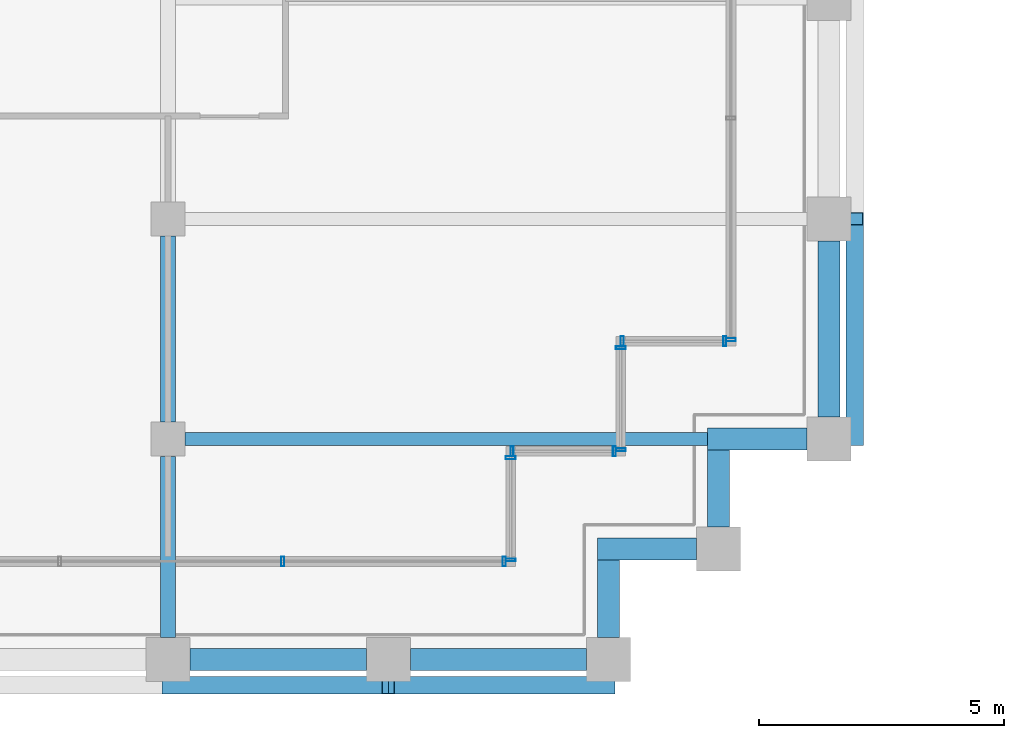
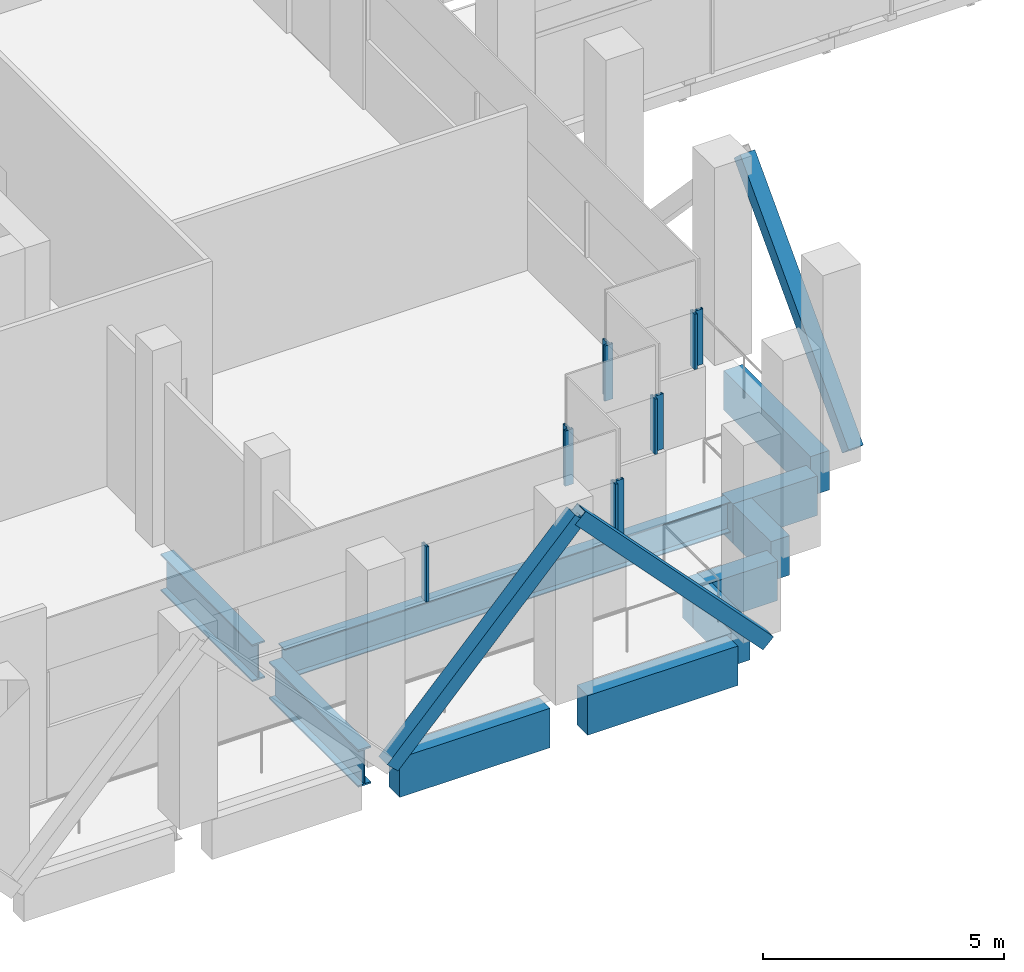
# One storey, part 8 of 34: 14 members, 10 beams, 6 elements without a shape of their own.
"""IFC4 building model written with IfcOpenShell, lengths in metres."""

from ifc_helpers import new_model, si_unit, direction, frame, origin, origin_2d, place, context, subcontext, project, spatial, rectangle, hollow_rectangle, i_section, extrude, material, material_profile, profile_set, type_object, element, aggregate, save


model = new_model("IFC4")

# Units and contexts
model_context = context("Model", 3, precision=1e-05, world=origin(), true_north=direction((0.0, 1.0)))
body_context = subcontext(model_context, "Body", "Model", "MODEL_VIEW")
ifc_project = project(units=[si_unit("LENGTHUNIT", "METRE"), si_unit("AREAUNIT", "SQUARE_METRE"), si_unit("VOLUMEUNIT", "CUBIC_METRE"), si_unit("PLANEANGLEUNIT", "RADIAN"), si_unit("MASSUNIT", "GRAM", prefix="KILO")], contexts=[model_context])

# Site, building, storey
site_placement = place(None, origin())
site = spatial("IfcSite", under=ifc_project, at=site_placement, CompositionType="ELEMENT")
building_placement = place(site_placement, origin())
building = spatial("IfcBuilding", under=site, at=building_placement, Name="Altepetl Exchange Towers", CompositionType="ELEMENT")
storey_placement = place(building_placement, frame((0.0, 0.0, 190.60009765625)))
storey = spatial("IfcBuildingStorey", under=building, at=storey_placement, Name="L48 Refuge", CompositionType="ELEMENT", Elevation=190.60009765625)

# Members
ifc_material_1 = material(Name="Steel S355", Category="steel")
ifc_material_profile_1 = material_profile(ifc_material_1, hollow_rectangle(XDim=0.35595703125, YDim=0.35595703125, WallThickness=0.014892578125, at=origin_2d()), Name="HSS356X356X15.9")
ifc_profile_set_1 = profile_set([ifc_material_profile_1], Name="Steel S355")
member_type_1 = type_object("IfcMemberType", Name="Belt diagonal HSS356X356X15.9", PredefinedType="BRACE", material=ifc_profile_set_1)
for number, where, z_axis, x_axis, name in (
    (1, (58.5, 26.469970703125, 0.0), (0.687744647911, 0.0, 0.725952683906), (0.0, 1.0, 0.0), "brc:A:L48:006"),
    (2, (63.0, 26.469970703125, 4.75), (0.687744647911, 0.0, -0.725952683906), (0.0, 1.0, 0.0), "brc:A:L48:007"),
    (3, (72.530029296875, 31.5, 0.0), (0.0, 0.687744647911, 0.725952683906), (-1.0, 0.0, 0.0), "brc:A:L48:008"),
):
    element("IfcMember", number, at=place(storey_placement, frame(where, z_axis=z_axis, x_axis=x_axis)), inside=storey, type_object=member_type_1, Name=name, PredefinedType="BRACE", context=body_context, shape_type="SweptSolid", body=[
        extrude(hollow_rectangle(XDim=0.35595703125, YDim=0.35595703125, WallThickness=0.014892578125, at=origin_2d()), origin(), (0.0, 0.0, 1.0), 6.543212890625),
    ])

# Beams
ifc_material_profile_2 = material_profile(ifc_material_1, i_section(OverallWidth=0.26806640625, OverallDepth=0.77392578125, WebThickness=0.015380859375, FlangeThickness=0.025390625, at=origin_2d()), Name="W30X132")
ifc_profile_set_2 = profile_set([ifc_material_profile_2], Name="Steel S355")
beam_type_1 = type_object("IfcBeamType", Name="Floor beam W30X132", PredefinedType="BEAM", material=ifc_profile_set_2)
beam_1_placement = place(storey_placement, frame((58.85009765625, 31.5, -0.587158203125), z_axis=(1.0, 0.0, 0.0), x_axis=(0.0, 1.0, 0.0)))
element("IfcBeam", 4, at=beam_1_placement, inside=storey, type_object=beam_type_1, Name="bm:A:L48:006", PredefinedType="BEAM", context=body_context, shape_type="SweptSolid", body=[
    extrude(i_section(OverallWidth=0.26806640625, OverallDepth=0.77392578125, WebThickness=0.015380859375, FlangeThickness=0.025390625, at=origin_2d()), origin(), (0.0, 0.0, 1.0), 10.6748046875),
])
ifc_material_profile_3 = material_profile(ifc_material_1, i_section(OverallWidth=0.30810546875, OverallDepth=0.943115234375, WebThickness=0.022216796875, FlangeThickness=0.039794921875, at=origin_2d()), Name="W36X232")
ifc_profile_set_3 = profile_set([ifc_material_profile_3], Name="Steel S355")
beam_type_2 = type_object("IfcBeamType", Name="Girder W36X232", PredefinedType="BEAM", material=ifc_profile_set_3)
beam_2_placement = place(storey_placement, frame((58.5, 35.64990234375, -0.671630859375), z_axis=(0.0, -1.0, 0.0), x_axis=(1.0, 0.0, 0.0)))
element("IfcBeam", 5, at=beam_2_placement, inside=storey, type_object=beam_type_2, Name="gd:A:L48:004", PredefinedType="BEAM", context=body_context, shape_type="SweptSolid", body=[
    extrude(i_section(OverallWidth=0.30810546875, OverallDepth=0.943115234375, WebThickness=0.022216796875, FlangeThickness=0.039794921875, at=origin_2d()), origin(), (0.0, 0.0, 1.0), 3.7998046875),
])
beam_3_placement = place(storey_placement, frame((58.5, 31.14990234375, -0.671630859375), z_axis=(0.0, -1.0, 0.0), x_axis=(1.0, 0.0, 0.0)))
element("IfcBeam", 6, at=beam_3_placement, inside=storey, type_object=beam_type_2, Name="gd:A:L48:005", PredefinedType="BEAM", context=body_context, shape_type="SweptSolid", body=[
    extrude(i_section(OverallWidth=0.30810546875, OverallDepth=0.943115234375, WebThickness=0.022216796875, FlangeThickness=0.039794921875, at=origin_2d()), origin(), (0.0, 0.0, 1.0), 3.699951171875),
])

# Curtain wall, members
ifc_material_2 = material(Name="Aluminium 6063-T6 glazing", Category="aluminium")
curtain_wall_type = type_object("IfcCurtainWallType", Name="Refuge slit glazing system", PredefinedType="NOTDEFINED", material=ifc_material_2)
curtain_wall_1_placement = place(storey_placement, origin())
curtain_wall_1 = element("IfcCurtainWall", 7, at=curtain_wall_1_placement, inside=storey, type_object=curtain_wall_type, Name="CW3 run", PredefinedType="NOTDEFINED")
ifc_material_3 = material(Name="Aluminium 6063-T6", Category="aluminium")
ifc_material_profile_4 = material_profile(ifc_material_3, hollow_rectangle(XDim=0.06005859375, YDim=0.199951171875, WallThickness=0.0029296875, at=origin_2d()), Name="Mullion 60x200 aluminium")
ifc_profile_set_4 = profile_set([ifc_material_profile_4], Name="Aluminium 6063-T6")
member_type_2 = type_object("IfcMemberType", Name="Mullion 60x200 aluminium", PredefinedType="MULLION", material=ifc_profile_set_4)
member_1_placement = place(storey_placement, frame((60.8427734375, 29.0, 1.7998046875)))
member_1 = element("IfcMember", 8, at=member_1_placement, type_object=member_type_2, Name="MU2 mullion", PredefinedType="MULLION", context=body_context, shape_type="SweptSolid", body=[
    extrude(hollow_rectangle(XDim=0.06005859375, YDim=0.199951171875, WallThickness=0.0029296875, at=origin_2d()), origin(), (0.0, 0.0, 1.0), 1.400146484375),
])
member_2_placement = place(storey_placement, frame((65.3701171875, 29.0, 1.7998046875)))
member_2 = element("IfcMember", 9, at=member_2_placement, type_object=member_type_2, Name="MU2 mullion", PredefinedType="MULLION", context=body_context, shape_type="SweptSolid", body=[
    extrude(hollow_rectangle(XDim=0.06005859375, YDim=0.199951171875, WallThickness=0.0029296875, at=origin_2d()), origin(), (0.0, 0.0, 1.0), 1.400146484375),
])
aggregate(curtain_wall_1, [member_1, member_2])

curtain_wall_2_placement = place(storey_placement, origin())
curtain_wall_2 = element("IfcCurtainWall", 10, at=curtain_wall_2_placement, inside=storey, type_object=curtain_wall_type, Name="CW3 run", PredefinedType="NOTDEFINED")
member_3_placement = place(storey_placement, frame((65.5, 29.030029296875, 1.7998046875), z_axis=(0.0, 0.0, 1.0), x_axis=(0.0, 1.0, 0.0)))
member_3 = element("IfcMember", 11, at=member_3_placement, type_object=member_type_2, Name="MU2 mullion", PredefinedType="MULLION", context=body_context, shape_type="SweptSolid", body=[
    extrude(hollow_rectangle(XDim=0.06005859375, YDim=0.199951171875, WallThickness=0.0029296875, at=origin_2d()), origin(), (0.0, 0.0, 1.0), 1.400146484375),
])
member_4_placement = place(storey_placement, frame((65.5, 31.1201171875, 1.7998046875), z_axis=(0.0, 0.0, 1.0), x_axis=(0.0, 1.0, 0.0)))
member_4 = element("IfcMember", 12, at=member_4_placement, type_object=member_type_2, Name="MU2 mullion", PredefinedType="MULLION", context=body_context, shape_type="SweptSolid", body=[
    extrude(hollow_rectangle(XDim=0.06005859375, YDim=0.199951171875, WallThickness=0.0029296875, at=origin_2d()), origin(), (0.0, 0.0, 1.0), 1.400146484375),
])
aggregate(curtain_wall_2, [member_3, member_4])

curtain_wall_3_placement = place(storey_placement, origin())
curtain_wall_3 = element("IfcCurtainWall", 13, at=curtain_wall_3_placement, inside=storey, type_object=curtain_wall_type, Name="CW3 run", PredefinedType="NOTDEFINED")
member_5_placement = place(storey_placement, frame((65.530029296875, 31.25, 1.7998046875)))
member_5 = element("IfcMember", 14, at=member_5_placement, type_object=member_type_2, Name="MU2 mullion", PredefinedType="MULLION", context=body_context, shape_type="SweptSolid", body=[
    extrude(hollow_rectangle(XDim=0.06005859375, YDim=0.199951171875, WallThickness=0.0029296875, at=origin_2d()), origin(), (0.0, 0.0, 1.0), 1.400146484375),
])
member_6_placement = place(storey_placement, frame((67.6201171875, 31.25, 1.7998046875)))
member_6 = element("IfcMember", 15, at=member_6_placement, type_object=member_type_2, Name="MU2 mullion", PredefinedType="MULLION", context=body_context, shape_type="SweptSolid", body=[
    extrude(hollow_rectangle(XDim=0.06005859375, YDim=0.199951171875, WallThickness=0.0029296875, at=origin_2d()), origin(), (0.0, 0.0, 1.0), 1.400146484375),
])
aggregate(curtain_wall_3, [member_5, member_6])

curtain_wall_4_placement = place(storey_placement, origin())
curtain_wall_4 = element("IfcCurtainWall", 16, at=curtain_wall_4_placement, inside=storey, type_object=curtain_wall_type, Name="CW3 run", PredefinedType="NOTDEFINED")
member_7_placement = place(storey_placement, frame((67.75, 31.280029296875, 1.7998046875), z_axis=(0.0, 0.0, 1.0), x_axis=(0.0, 1.0, 0.0)))
member_7 = element("IfcMember", 17, at=member_7_placement, type_object=member_type_2, Name="MU2 mullion", PredefinedType="MULLION", context=body_context, shape_type="SweptSolid", body=[
    extrude(hollow_rectangle(XDim=0.06005859375, YDim=0.199951171875, WallThickness=0.0029296875, at=origin_2d()), origin(), (0.0, 0.0, 1.0), 1.400146484375),
])
member_8_placement = place(storey_placement, frame((67.75, 33.3701171875, 1.7998046875), z_axis=(0.0, 0.0, 1.0), x_axis=(0.0, 1.0, 0.0)))
member_8 = element("IfcMember", 18, at=member_8_placement, type_object=member_type_2, Name="MU2 mullion", PredefinedType="MULLION", context=body_context, shape_type="SweptSolid", body=[
    extrude(hollow_rectangle(XDim=0.06005859375, YDim=0.199951171875, WallThickness=0.0029296875, at=origin_2d()), origin(), (0.0, 0.0, 1.0), 1.400146484375),
])
aggregate(curtain_wall_4, [member_7, member_8])

curtain_wall_5_placement = place(storey_placement, origin())
curtain_wall_5 = element("IfcCurtainWall", 19, at=curtain_wall_5_placement, inside=storey, type_object=curtain_wall_type, Name="CW3 run", PredefinedType="NOTDEFINED")
member_9_placement = place(storey_placement, frame((67.780029296875, 33.5, 1.7998046875)))
member_9 = element("IfcMember", 20, at=member_9_placement, type_object=member_type_2, Name="MU2 mullion", PredefinedType="MULLION", context=body_context, shape_type="SweptSolid", body=[
    extrude(hollow_rectangle(XDim=0.06005859375, YDim=0.199951171875, WallThickness=0.0029296875, at=origin_2d()), origin(), (0.0, 0.0, 1.0), 1.400146484375),
])
member_10_placement = place(storey_placement, frame((69.8701171875, 33.5, 1.7998046875)))
member_10 = element("IfcMember", 21, at=member_10_placement, type_object=member_type_2, Name="MU2 mullion", PredefinedType="MULLION", context=body_context, shape_type="SweptSolid", body=[
    extrude(hollow_rectangle(XDim=0.06005859375, YDim=0.199951171875, WallThickness=0.0029296875, at=origin_2d()), origin(), (0.0, 0.0, 1.0), 1.400146484375),
])
aggregate(curtain_wall_5, [member_9, member_10])

# Curtain wall, member
curtain_wall_6_placement = place(storey_placement, origin())
curtain_wall_6 = element("IfcCurtainWall", 22, at=curtain_wall_6_placement, inside=storey, type_object=curtain_wall_type, Name="CW3 run", PredefinedType="NOTDEFINED")
member_11_placement = place(storey_placement, frame((70.0, 33.530029296875, 1.7998046875), z_axis=(0.0, 0.0, 1.0), x_axis=(0.0, 1.0, 0.0)))
member_11 = element("IfcMember", 23, at=member_11_placement, type_object=member_type_2, Name="MU2 mullion", PredefinedType="MULLION", context=body_context, shape_type="SweptSolid", body=[
    extrude(hollow_rectangle(XDim=0.06005859375, YDim=0.199951171875, WallThickness=0.0029296875, at=origin_2d()), origin(), (0.0, 0.0, 1.0), 1.400146484375),
])
aggregate(curtain_wall_6, [member_11])

# Beams
ifc_material_4 = material(Name="Concrete C50/60 precast with cantera amarilla facing", Category="concrete")
ifc_material_profile_5 = material_profile(ifc_material_4, rectangle(XDim=0.449951171875, YDim=1.0, at=origin_2d()), Name="450 x 1000")
ifc_profile_set_5 = profile_set([ifc_material_profile_5], Name="Concrete C50/60 precast with cantera amarilla facing")
beam_type_3 = type_object("IfcBeamType", Name="Spandrel beam 450x1000 cantera amarilla", PredefinedType="SPANDREL", material=ifc_profile_set_5)
for number, where, z_axis, x_axis, name in (
    (24, (58.949951171875, 27.0, -0.7001953125), (1.0, 0.0, 0.0), (0.0, 1.0, 0.0), "sp:A:L48:006"),
    (25, (63.449951171875, 27.0, -0.7001953125), (1.0, 0.0, 0.0), (0.0, 1.0, 0.0), "sp:A:L48:007"),
):
    element("IfcBeam", number, at=place(storey_placement, frame(where, z_axis=z_axis, x_axis=x_axis)), inside=storey, type_object=beam_type_3, Name=name, PredefinedType="SPANDREL", context=body_context, shape_type="SweptSolid", body=[
        extrude(rectangle(XDim=0.449951171875, YDim=1.0, at=origin_2d()), origin(), (0.0, 0.0, 1.0), 3.60009765625),
    ])
beam_4_placement = place(storey_placement, frame((67.5, 27.449951171875, -0.7001953125), z_axis=(0.0, 1.0, 0.0), x_axis=(-1.0, 0.0, 0.0)))
element("IfcBeam", 26, at=beam_4_placement, inside=storey, type_object=beam_type_3, Name="sp:A:L48:008", PredefinedType="SPANDREL", context=body_context, shape_type="SweptSolid", body=[
    extrude(rectangle(XDim=0.449951171875, YDim=1.0, at=origin_2d()), origin(), (0.0, 0.0, 1.0), 1.574951171875),
])
beam_5_placement = place(storey_placement, frame((67.27490234375, 29.25, -0.7001953125), z_axis=(1.0, 0.0, 0.0), x_axis=(0.0, 1.0, 0.0)))
element("IfcBeam", 27, at=beam_5_placement, inside=storey, type_object=beam_type_3, Name="sp:A:L48:009", PredefinedType="SPANDREL", context=body_context, shape_type="SweptSolid", body=[
    extrude(rectangle(XDim=0.449951171875, YDim=1.0, at=origin_2d()), origin(), (0.0, 0.0, 1.0), 2.025146484375),
])
beam_6_placement = place(storey_placement, frame((69.75, 29.699951171875, -0.7001953125), z_axis=(0.0, 1.0, 0.0), x_axis=(-1.0, 0.0, 0.0)))
element("IfcBeam", 28, at=beam_6_placement, inside=storey, type_object=beam_type_3, Name="sp:A:L48:010", PredefinedType="SPANDREL", context=body_context, shape_type="SweptSolid", body=[
    extrude(rectangle(XDim=0.449951171875, YDim=1.0, at=origin_2d()), origin(), (0.0, 0.0, 1.0), 1.574951171875),
])
beam_7_placement = place(storey_placement, frame((69.52490234375, 31.5, -0.7001953125), z_axis=(1.0, 0.0, 0.0), x_axis=(0.0, 1.0, 0.0)))
element("IfcBeam", 29, at=beam_7_placement, inside=storey, type_object=beam_type_3, Name="sp:A:L48:011", PredefinedType="SPANDREL", context=body_context, shape_type="SweptSolid", body=[
    extrude(rectangle(XDim=0.449951171875, YDim=1.0, at=origin_2d()), origin(), (0.0, 0.0, 1.0), 2.025146484375),
])
beam_8_placement = place(storey_placement, frame((72.0, 31.949951171875, -0.7001953125), z_axis=(0.0, 1.0, 0.0), x_axis=(-1.0, 0.0, 0.0)))
element("IfcBeam", 30, at=beam_8_placement, inside=storey, type_object=beam_type_3, Name="sp:A:L48:012", PredefinedType="SPANDREL", context=body_context, shape_type="SweptSolid", body=[
    extrude(rectangle(XDim=0.449951171875, YDim=1.0, at=origin_2d()), origin(), (0.0, 0.0, 1.0), 3.60009765625),
])

save(model, "model.ifc")
